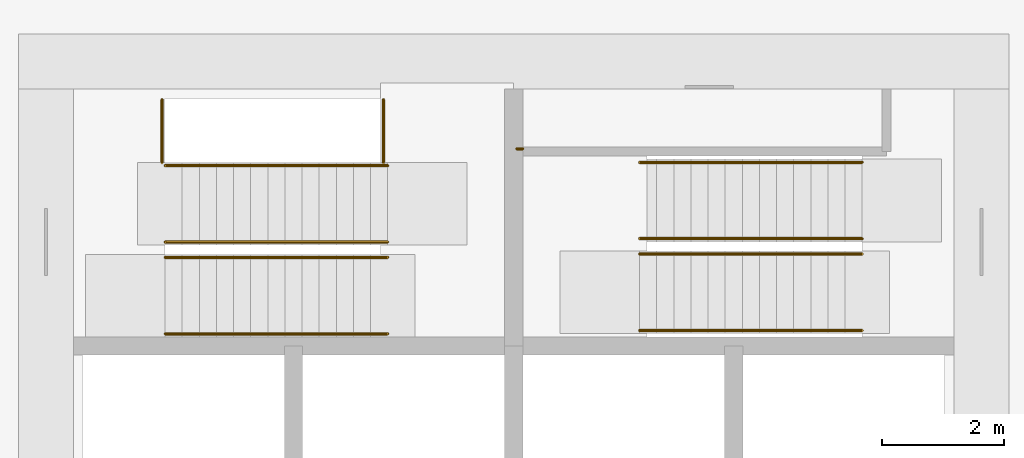
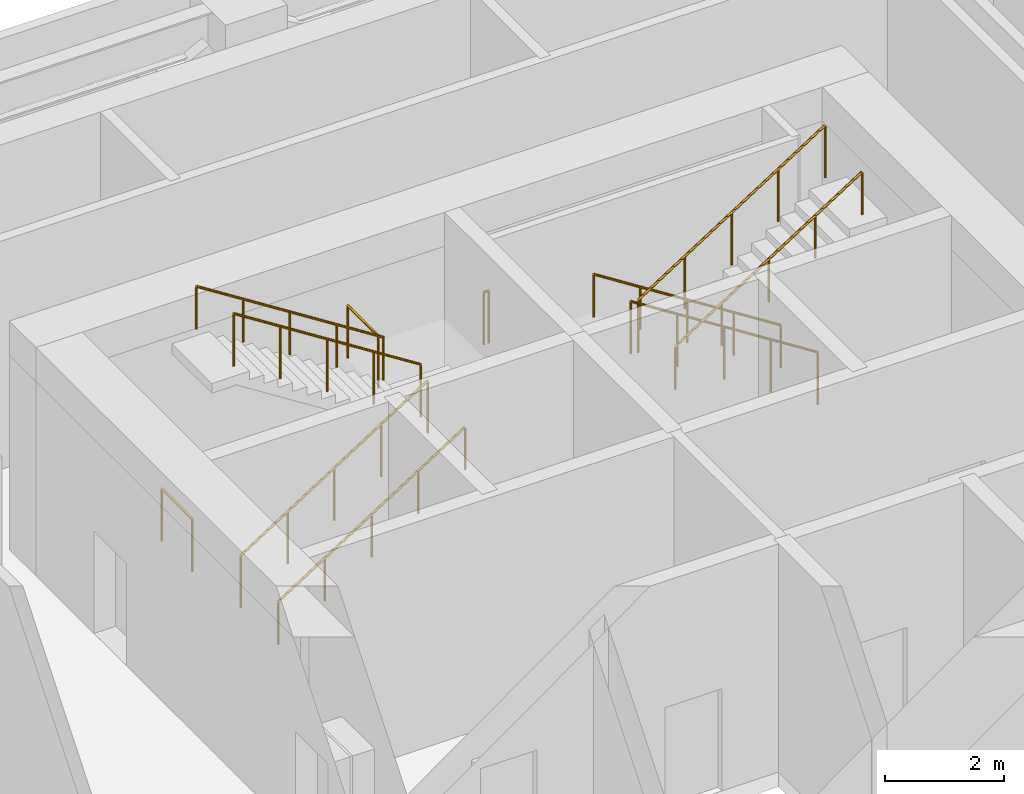
# One storey, part 7 of 8: 11 railings.
"""IFC4 building model written with IfcOpenShell, lengths in metres."""

from ifc_helpers import new_model, si_unit, direction, frame, origin, origin_2d, place, context, subcontext, project, spatial, circle, extrude, material, type_object, element, save


model = new_model("IFC4")

# Units and contexts
model_context = context("Model", 3, precision=1e-05, world=origin(), true_north=direction((0.0, 1.0)))
body_context = subcontext(model_context, "Body", "Model", "MODEL_VIEW")
ifc_project = project(units=[si_unit("LENGTHUNIT", "METRE"), si_unit("AREAUNIT", "SQUARE_METRE"), si_unit("VOLUMEUNIT", "CUBIC_METRE"), si_unit("PLANEANGLEUNIT", "RADIAN"), si_unit("MASSUNIT", "GRAM", prefix="KILO")], contexts=[model_context])

# Site, building, storey
site_placement = place(None, origin())
site = spatial("IfcSite", under=ifc_project, at=site_placement, CompositionType="ELEMENT")
building_placement = place(site_placement, origin())
building = spatial("IfcBuilding", under=site, at=building_placement, Name="Windrow Commons", CompositionType="ELEMENT")
storey_placement = place(building_placement, frame((0.0, 0.0, 72.0)))
storey = spatial("IfcBuildingStorey", under=building, at=storey_placement, Name="L19", CompositionType="ELEMENT", Elevation=72.0)

# Railings
ifc_material_1 = material(Name="Steel S355", Category="steel")
railing_type_1 = type_object("IfcRailingType", Name="Core stair guard 1100", PredefinedType="GUARDRAIL", material=ifc_material_1)
railing_1_placement = place(storey_placement, frame((59.1, 62.05, 0.1786)))
element("IfcRailing", 1, at=railing_1_placement, inside=storey, type_object=railing_type_1, Name="L19 ST-A1 stair guard 1", PredefinedType="GUARDRAIL", context=body_context, shape_type="SweptSolid", body=[
    extrude(circle(Radius=0.024, at=origin_2d()), frame((0.0, 0.0, 1.076), z_axis=(0.8431326905, 0.0, 0.5377055571), x_axis=(0.0, 1.0, 0.0)), (0.0, 0.0, 1.0), 4.3172),
    extrude(circle(Radius=0.021, at=origin_2d()), origin(), (0.0, 0.0, 1.0), 1.052),
    extrude(circle(Radius=0.021, at=origin_2d()), frame((0.91, 0.0, 0.5803)), (0.0, 0.0, 1.0), 1.052),
    extrude(circle(Radius=0.021, at=origin_2d()), frame((1.82, 0.0, 1.1607)), (0.0, 0.0, 1.0), 1.052),
    extrude(circle(Radius=0.021, at=origin_2d()), frame((2.73, 0.0, 1.741)), (0.0, 0.0, 1.0), 1.052),
    extrude(circle(Radius=0.021, at=origin_2d()), frame((3.64, 0.0, 2.3214)), (0.0, 0.0, 1.0), 1.052),
])
railing_2_placement = place(storey_placement, frame((62.74, 62.3, 2.6786)))
element("IfcRailing", 2, at=railing_2_placement, inside=storey, type_object=railing_type_1, Name="L19 ST-A1 stair guard 2", PredefinedType="GUARDRAIL", context=body_context, shape_type="SweptSolid", body=[
    extrude(circle(Radius=0.024, at=origin_2d()), frame((0.0, 0.0, 1.076), z_axis=(-0.8431326905, 0.0, 0.5377055571), x_axis=(0.0, -1.0, 0.0)), (0.0, 0.0, 1.0), 4.3172),
    extrude(circle(Radius=0.021, at=origin_2d()), origin(), (0.0, 0.0, 1.0), 1.052),
    extrude(circle(Radius=0.021, at=origin_2d()), frame((-0.91, 0.0, 0.5803)), (0.0, 0.0, 1.0), 1.052),
    extrude(circle(Radius=0.021, at=origin_2d()), frame((-1.82, 0.0, 1.1607)), (0.0, 0.0, 1.0), 1.052),
    extrude(circle(Radius=0.021, at=origin_2d()), frame((-2.73, 0.0, 1.741)), (0.0, 0.0, 1.0), 1.052),
    extrude(circle(Radius=0.021, at=origin_2d()), frame((-3.64, 0.0, 2.3214)), (0.0, 0.0, 1.0), 1.052),
])
for number, where, name in (
    (3, (59.05, 63.6, 0.0), "L19 ST-A1 stair guard 3"),
    (4, (62.67, 63.6, 2.5), "L19 ST-A1 stair guard 4"),
):
    element("IfcRailing", number, at=place(storey_placement, frame(where)), inside=storey, type_object=railing_type_1, Name=name, PredefinedType="GUARDRAIL", context=body_context, shape_type="SweptSolid", body=[
        extrude(circle(Radius=0.024, at=origin_2d()), frame((0.0, 0.0, 1.076), z_axis=(0.0, 1.0, 0.0), x_axis=(-1.0, 0.0, 0.0)), (0.0, 0.0, 1.0), 1.03),
        extrude(circle(Radius=0.021, at=origin_2d()), origin(), (0.0, 0.0, 1.0), 1.052),
        extrude(circle(Radius=0.021, at=origin_2d()), frame((0.0, 1.03, 0.0)), (0.0, 0.0, 1.0), 1.052),
    ])
railing_3_placement = place(storey_placement, frame((70.5, 62.355, 0.1786)))
element("IfcRailing", 5, at=railing_3_placement, inside=storey, type_object=railing_type_1, Name="L19 ST-A2 stair guard 1", PredefinedType="GUARDRAIL", context=body_context, shape_type="SweptSolid", body=[
    extrude(circle(Radius=0.024, at=origin_2d()), frame((0.0, 0.0, 1.076), z_axis=(-0.8431326905, 0.0, 0.5377055571), x_axis=(0.0, -1.0, 0.0)), (0.0, 0.0, 1.0), 4.3172),
    extrude(circle(Radius=0.021, at=origin_2d()), origin(), (0.0, 0.0, 1.0), 1.052),
    extrude(circle(Radius=0.021, at=origin_2d()), frame((-0.91, 0.0, 0.5803)), (0.0, 0.0, 1.0), 1.052),
    extrude(circle(Radius=0.021, at=origin_2d()), frame((-1.82, 0.0, 1.1607)), (0.0, 0.0, 1.0), 1.052),
    extrude(circle(Radius=0.021, at=origin_2d()), frame((-2.73, 0.0, 1.741)), (0.0, 0.0, 1.0), 1.052),
    extrude(circle(Radius=0.021, at=origin_2d()), frame((-3.64, 0.0, 2.3214)), (0.0, 0.0, 1.0), 1.052),
])
railing_4_placement = place(storey_placement, frame((66.86, 62.105, 2.6786)))
element("IfcRailing", 6, at=railing_4_placement, inside=storey, type_object=railing_type_1, Name="L19 ST-A2 stair guard 2", PredefinedType="GUARDRAIL", context=body_context, shape_type="SweptSolid", body=[
    extrude(circle(Radius=0.024, at=origin_2d()), frame((0.0, 0.0, 1.076), z_axis=(0.8431326905, 0.0, 0.5377055571), x_axis=(0.0, 1.0, 0.0)), (0.0, 0.0, 1.0), 4.3172),
    extrude(circle(Radius=0.021, at=origin_2d()), origin(), (0.0, 0.0, 1.0), 1.052),
    extrude(circle(Radius=0.021, at=origin_2d()), frame((0.91, 0.0, 0.5803)), (0.0, 0.0, 1.0), 1.052),
    extrude(circle(Radius=0.021, at=origin_2d()), frame((1.82, 0.0, 1.1607)), (0.0, 0.0, 1.0), 1.052),
    extrude(circle(Radius=0.021, at=origin_2d()), frame((2.73, 0.0, 1.741)), (0.0, 0.0, 1.0), 1.052),
    extrude(circle(Radius=0.021, at=origin_2d()), frame((3.64, 0.0, 2.3214)), (0.0, 0.0, 1.0), 1.052),
])
railing_5_placement = place(storey_placement, frame((64.95, 63.825, 2.5)))
element("IfcRailing", 7, at=railing_5_placement, inside=storey, type_object=railing_type_1, Name="L19 ST-A2 stair guard 3", PredefinedType="GUARDRAIL", context=body_context, shape_type="SweptSolid", body=[
    extrude(circle(Radius=0.024, at=origin_2d()), frame((0.0, 0.0, 1.076), z_axis=(-1.0, 0.0, 0.0), x_axis=(0.0, -1.0, 0.0)), (0.0, 0.0, 1.0), 0.1),
    extrude(circle(Radius=0.021, at=origin_2d()), origin(), (0.0, 0.0, 1.0), 1.052),
    extrude(circle(Radius=0.021, at=origin_2d()), frame((-0.1, 0.0, 0.0)), (0.0, 0.0, 1.0), 1.052),
])
ifc_material_2 = material(Name="Steel S355", Category="steel")
railing_type_2 = type_object("IfcRailingType", Name="Core stair handrail 900", PredefinedType="HANDRAIL", material=ifc_material_2)
railing_6_placement = place(storey_placement, frame((59.1, 60.8, 0.1786)))
element("IfcRailing", 8, at=railing_6_placement, inside=storey, type_object=railing_type_2, Name="L19 ST-A1 stair handrail 1", PredefinedType="HANDRAIL", context=body_context, shape_type="SweptSolid", body=[
    extrude(circle(Radius=0.024, at=origin_2d()), frame((0.0, 0.0, 0.876), z_axis=(0.8431326905, 0.0, 0.5377055571), x_axis=(0.0, 1.0, 0.0)), (0.0, 0.0, 1.0), 4.3172),
    extrude(circle(Radius=0.021, at=origin_2d()), origin(), (0.0, 0.0, 1.0), 0.852),
    extrude(circle(Radius=0.021, at=origin_2d()), frame((0.91, 0.0, 0.5803)), (0.0, 0.0, 1.0), 0.852),
    extrude(circle(Radius=0.021, at=origin_2d()), frame((1.82, 0.0, 1.1607)), (0.0, 0.0, 1.0), 0.852),
    extrude(circle(Radius=0.021, at=origin_2d()), frame((2.73, 0.0, 1.741)), (0.0, 0.0, 1.0), 0.852),
    extrude(circle(Radius=0.021, at=origin_2d()), frame((3.64, 0.0, 2.3214)), (0.0, 0.0, 1.0), 0.852),
])
for number, where, name in (
    (9, (62.74, 63.55, 2.6786), "L19 ST-A1 stair handrail 2"),
    (10, (70.5, 63.605, 0.1786), "L19 ST-A2 stair handrail 1"),
):
    element("IfcRailing", number, at=place(storey_placement, frame(where)), inside=storey, type_object=railing_type_2, Name=name, PredefinedType="HANDRAIL", context=body_context, shape_type="SweptSolid", body=[
        extrude(circle(Radius=0.024, at=origin_2d()), frame((0.0, 0.0, 0.876), z_axis=(-0.8431326905, 0.0, 0.5377055571), x_axis=(0.0, -1.0, 0.0)), (0.0, 0.0, 1.0), 4.3172),
        extrude(circle(Radius=0.021, at=origin_2d()), origin(), (0.0, 0.0, 1.0), 0.852),
        extrude(circle(Radius=0.021, at=origin_2d()), frame((-0.91, 0.0, 0.5803)), (0.0, 0.0, 1.0), 0.852),
        extrude(circle(Radius=0.021, at=origin_2d()), frame((-1.82, 0.0, 1.1607)), (0.0, 0.0, 1.0), 0.852),
        extrude(circle(Radius=0.021, at=origin_2d()), frame((-2.73, 0.0, 1.741)), (0.0, 0.0, 1.0), 0.852),
        extrude(circle(Radius=0.021, at=origin_2d()), frame((-3.64, 0.0, 2.3214)), (0.0, 0.0, 1.0), 0.852),
    ])
railing_7_placement = place(storey_placement, frame((66.86, 60.855, 2.6786)))
element("IfcRailing", 11, at=railing_7_placement, inside=storey, type_object=railing_type_2, Name="L19 ST-A2 stair handrail 2", PredefinedType="HANDRAIL", context=body_context, shape_type="SweptSolid", body=[
    extrude(circle(Radius=0.024, at=origin_2d()), frame((0.0, 0.0, 0.876), z_axis=(0.8431326905, 0.0, 0.5377055571), x_axis=(0.0, 1.0, 0.0)), (0.0, 0.0, 1.0), 4.3172),
    extrude(circle(Radius=0.021, at=origin_2d()), origin(), (0.0, 0.0, 1.0), 0.852),
    extrude(circle(Radius=0.021, at=origin_2d()), frame((0.91, 0.0, 0.5803)), (0.0, 0.0, 1.0), 0.852),
    extrude(circle(Radius=0.021, at=origin_2d()), frame((1.82, 0.0, 1.1607)), (0.0, 0.0, 1.0), 0.852),
    extrude(circle(Radius=0.021, at=origin_2d()), frame((2.73, 0.0, 1.741)), (0.0, 0.0, 1.0), 0.852),
    extrude(circle(Radius=0.021, at=origin_2d()), frame((3.64, 0.0, 2.3214)), (0.0, 0.0, 1.0), 0.852),
])

save(model, "model.ifc")
